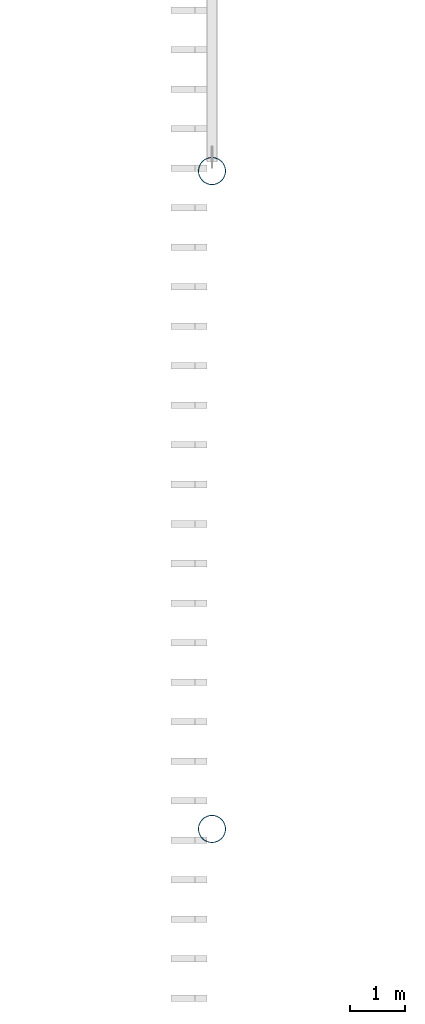
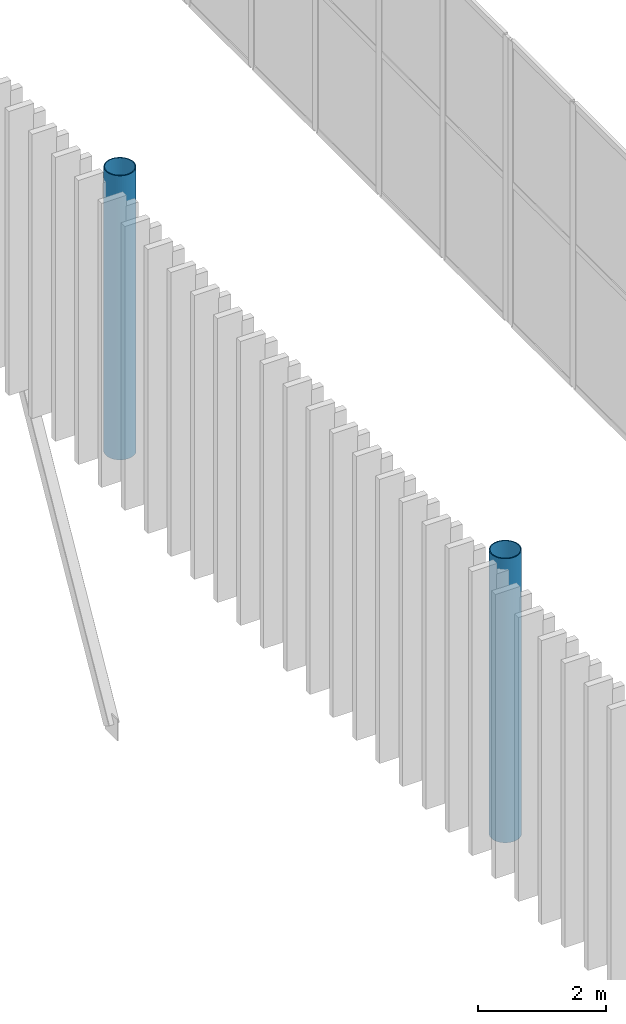
# One storey, part 2 of 170: 2 columns.
"""IFC4 building model written with IfcOpenShell, lengths in metres."""

import ifcopenshell
import ifcopenshell.guid

model = None  # the IFC model being written
_history = None  # IfcOwnerHistory: only IFC2X3 demands one
_inside = {}  # id of a spatial element -> (the spatial element, [elements in it])
_under = {}  # id of a project, library or spatial element -> (it, [spatial elements below it])
_declared = {}  # id of a project -> (the project, [libraries it declares])
_typed = {}  # id of a type object -> (the type object, [elements of that type])
_made_of = {}  # id of a material, layer set ... -> (it, [elements and type objects made of it])


def new_model(schema):
    """Start an empty IFC model of exactly this schema.

    Asked for "IFC4X3", IfcOpenShell would pick the latest addendum, in which some entities
    have other attributes; the version numbers below select the first issue.
    IFC2X3 requires an IfcOwnerHistory on every rooted entity: one is made here for all.
    """
    global model, _history
    if schema == "IFC4X3":
        model = ifcopenshell.file(schema_version=(4, 3, 0, 0))
    else:
        model = ifcopenshell.file(schema=schema)
    _inside.clear()
    _under.clear()
    _declared.clear()
    _typed.clear()
    _made_of.clear()
    _history = None
    if model.schema == "IFC2X3":
        org = make("IfcOrganization", Name="unknown")
        user = make(
            "IfcPersonAndOrganization",
            ThePerson=make("IfcPerson", FamilyName="unknown"),
            TheOrganization=org,
        )
        app = make(
            "IfcApplication",
            ApplicationDeveloper=org,
            Version="unknown",
            ApplicationFullName="unknown",
            ApplicationIdentifier="unknown",
        )
        _history = make(
            "IfcOwnerHistory",
            OwningUser=user,
            OwningApplication=app,
            ChangeAction="ADDED",
            CreationDate=0,
        )
    return model


def make(cls, **values):
    """One entity of the class cls with the attributes given. An attribute that is None is left unset."""
    return model.create_entity(
        cls, **{name: value for name, value in values.items() if value is not None}
    )


def rooted(cls, **values):
    """An entity with a GlobalId (a new one), such as an element, a storey or a relation."""
    return make(cls, GlobalId=ifcopenshell.guid.new(), OwnerHistory=_history, **values)


def si_unit(unit_type, name, prefix=None):
    """IfcSIUnit, for example si_unit("LENGTHUNIT", "METRE", prefix="MILLI")."""
    return make("IfcSIUnit", UnitType=unit_type, Prefix=prefix, Name=name)


def assignment(units):
    """IfcUnitAssignment: the units of a project."""
    return None if units is None else make("IfcUnitAssignment", Units=units)


def point(xyz):
    """IfcCartesianPoint."""
    return None if xyz is None else make("IfcCartesianPoint", Coordinates=xyz)


def direction(xyz):
    """IfcDirection."""
    return None if xyz is None else make("IfcDirection", DirectionRatios=xyz)


def frame(location, z_axis=None, x_axis=None):
    """IfcAxis2Placement3D, a coordinate frame: its origin and axes. An axis left out is left unset."""
    return make(
        "IfcAxis2Placement3D",
        Location=point(location),
        Axis=direction(z_axis),
        RefDirection=direction(x_axis),
    )


def frame_2d(location, x_axis=None):
    """IfcAxis2Placement2D, a coordinate frame in the plane: its origin and x axis."""
    return make(
        "IfcAxis2Placement2D", Location=point(location), RefDirection=direction(x_axis)
    )


def origin():
    """The frame at (0, 0, 0) with its axes left unset."""
    return frame((0.0, 0.0, 0.0))


def origin_2d():
    """The frame at (0, 0) in the plane with its x axis left unset."""
    return frame_2d((0.0, 0.0))


def place(relative_to, where):
    """IfcLocalPlacement: puts the frame where relative to a parent placement (None: the world)."""
    return make(
        "IfcLocalPlacement", PlacementRelTo=relative_to, RelativePlacement=where
    )


def context(
    kind, dimensions, precision=None, world=None, true_north=None, identifier=None
):
    """IfcGeometricRepresentationContext, for example the 3D "Model" context."""
    return make(
        "IfcGeometricRepresentationContext",
        ContextIdentifier=identifier,
        ContextType=kind,
        CoordinateSpaceDimension=dimensions,
        Precision=precision,
        WorldCoordinateSystem=world,
        TrueNorth=true_north,
    )


def subcontext(parent, identifier, kind, view, scale=None):
    """IfcGeometricRepresentationSubContext, for example "Body" below "Model"."""
    return make(
        "IfcGeometricRepresentationSubContext",
        ContextIdentifier=identifier,
        ContextType=kind,
        ParentContext=parent,
        TargetScale=scale,
        TargetView=view,
    )


def project(units=None, contexts=None):
    """IfcProject with its units and contexts."""
    return rooted(
        "IfcProject",
        Name="project",
        RepresentationContexts=contexts,
        UnitsInContext=assignment(units),
    )


def spatial(cls, under=None, at=None, **own):
    """A site, building, storey or space (cls), placed at a placement, below another one or the project."""
    s = rooted(cls, ObjectPlacement=at, **own)
    if under is not None:
        _under.setdefault(under.id(), (under, []))[1].append(s)
    return s


def profile(cls, at=None, kind="AREA", **sizes):
    """A parametric profile (cls). Its sizes go by their IFC names, for example OverallWidth=200.0."""
    return make(cls, ProfileType=kind, Position=at, **sizes)


def hollow_circle(**sizes):
    """IfcCircleHollowProfileDef."""
    return profile("IfcCircleHollowProfileDef", **sizes)


def extrude(swept, where, along, depth):
    """IfcExtrudedAreaSolid: the profile swept, set in the frame where, extruded along a direction by depth."""
    return make(
        "IfcExtrudedAreaSolid",
        SweptArea=swept,
        Position=where,
        ExtrudedDirection=direction(along),
        Depth=depth,
    )


def shape(context_of_items, identifier, shape_type, items):
    """IfcShapeRepresentation: the items that make up one representation, for example the "Body"."""
    return make(
        "IfcShapeRepresentation",
        ContextOfItems=context_of_items,
        RepresentationIdentifier=identifier,
        RepresentationType=shape_type,
        Items=items,
    )


def material(Name=None, Category=None):
    """IfcMaterial."""
    return make("IfcMaterial", Name=Name, Category=Category)


def material_profile(
    of_material, cross_section, Name=None, Category=None, Priority=None
):
    """IfcMaterialProfile: a cross section and its material."""
    return make(
        "IfcMaterialProfile",
        Name=Name,
        Material=of_material,
        Profile=cross_section,
        Priority=Priority,
        Category=Category,
    )


def profile_set(profiles, Name=None, composite=None):
    """IfcMaterialProfileSet."""
    return make(
        "IfcMaterialProfileSet",
        Name=Name,
        MaterialProfiles=profiles,
        CompositeProfile=composite,
    )


def made_of(thing, what):
    """Note that an element or type object is made of a material, layer set ...; save() writes the relation."""
    if what is not None:
        _made_of.setdefault(what.id(), (what, []))[1].append(thing)
    return thing


def type_object(cls, material=None, **own):
    """A type object (cls), such as IfcWallType, which elements share."""
    return made_of(rooted(cls, **own), material)


def element(
    cls,
    number,
    at=None,
    inside=None,
    cuts=None,
    type_object=None,
    material=None,
    context=None,
    identifier="Body",
    shape_type=None,
    held_by="IfcProductDefinitionShape",
    body=None,
    shapes=None,
    **own,
):
    """One element of the class cls, such as IfcWall. Its Tag is "e" and its number.

    at: its placement. inside: the storey or other place that contains it. cuts: it is an
    opening in that element (IfcRelVoidsElement). A single representation is given by context,
    identifier, shape_type and body (its items); several are given by shapes. held_by: the class
    of the entity that holds the representations. save() writes the other relations.
    """
    e = rooted(cls, Tag="e%d" % number, ObjectPlacement=at, **own)
    if body is not None:
        shapes = [shape(context, identifier, shape_type, body)]
    if shapes is not None:
        e.Representation = make(held_by, Representations=shapes)
    if inside is not None:
        _inside.setdefault(inside.id(), (inside, []))[1].append(e)
    if cuts is not None:
        rooted(
            "IfcRelVoidsElement", RelatingBuildingElement=cuts, RelatedOpeningElement=e
        )
    if type_object is not None:
        _typed.setdefault(type_object.id(), (type_object, []))[1].append(e)
    return made_of(e, material)


def aggregate(whole, parts):
    """IfcRelAggregates: a whole, such as a stair, and the parts it consists of."""
    return rooted("IfcRelAggregates", RelatingObject=whole, RelatedObjects=parts)


def save(model, path):
    """Write the relations noted so far, then the file.

    IfcRelAggregates (storeys below a building ...), IfcRelContainedInSpatialStructure (elements
    in a storey), IfcRelDefinesByType, IfcRelAssociatesMaterial and IfcRelDeclares: one each for
    every whole, place, type object, material and project.
    """
    for whole, parts in _under.values():
        aggregate(whole, parts)
    for where, things in _inside.values():
        rooted(
            "IfcRelContainedInSpatialStructure",
            RelatedElements=things,
            RelatingStructure=where,
        )
    for kind, things in _typed.values():
        rooted("IfcRelDefinesByType", RelatedObjects=things, RelatingType=kind)
    for what, things in _made_of.values():
        rooted("IfcRelAssociatesMaterial", RelatedObjects=things, RelatingMaterial=what)
    for by, libraries in _declared.values():
        rooted("IfcRelDeclares", RelatingContext=by, RelatedDefinitions=libraries)
    model.write(path)


model = new_model("IFC4")

# Units and contexts
model_context = context("Model", 3, precision=1e-05, world=origin(), true_north=direction((0.0, 1.0)))
body_context = subcontext(model_context, "Body", "Model", "MODEL_VIEW")
ifc_project = project(units=[si_unit("LENGTHUNIT", "METRE"), si_unit("AREAUNIT", "SQUARE_METRE"), si_unit("VOLUMEUNIT", "CUBIC_METRE"), si_unit("PLANEANGLEUNIT", "RADIAN"), si_unit("MASSUNIT", "GRAM", prefix="KILO")], contexts=[model_context])

# Site, building, storey
site_placement = place(None, origin())
site = spatial("IfcSite", under=ifc_project, at=site_placement, CompositionType="ELEMENT")
building_placement = place(site_placement, origin())
building = spatial("IfcBuilding", under=site, at=building_placement, Name="Ravi Spectrum Wholesale Market", CompositionType="ELEMENT")
storey_placement = place(building_placement, frame((0.0, 0.0, 5.39990234375)))
storey = spatial("IfcBuildingStorey", under=building, at=storey_placement, Name="L01", CompositionType="ELEMENT", Elevation=5.39990234375)

# Columns
ifc_material = material(Name="Steel S355", Category="steel")
ifc_material_profile = material_profile(ifc_material, hollow_circle(Radius=0.25390625, WallThickness=0.01611328125, at=origin_2d()))
ifc_profile_set = profile_set([ifc_material_profile], Name="Steel S355")
column_type = type_object("IfcColumnType", Name="CHS 508x16 column", PredefinedType="COLUMN", material=ifc_profile_set)
for number, where, z_axis, x_axis, name in (
    (1, (30.0, 54.0, 0.0), (0.0, 0.0, 1.0), (1.0, 0.0, 0.0), "H1-COL-L01-003"),
    (2, (30.0, 66.0, 0.0), (0.0, 0.0, 1.0), (1.0, 0.0, 0.0), "H1-COL-L01-004"),
):
    element("IfcColumn", number, at=place(storey_placement, frame(where, z_axis=z_axis, x_axis=x_axis)), inside=storey, type_object=column_type, Name=name, PredefinedType="COLUMN", context=body_context, shape_type="SweptSolid", body=[
        extrude(hollow_circle(Radius=0.25390625, WallThickness=0.01611328125, at=origin_2d()), origin(), (0.0, 0.0, 1.0), 5.400146484375),
    ])

save(model, "model.ifc")
